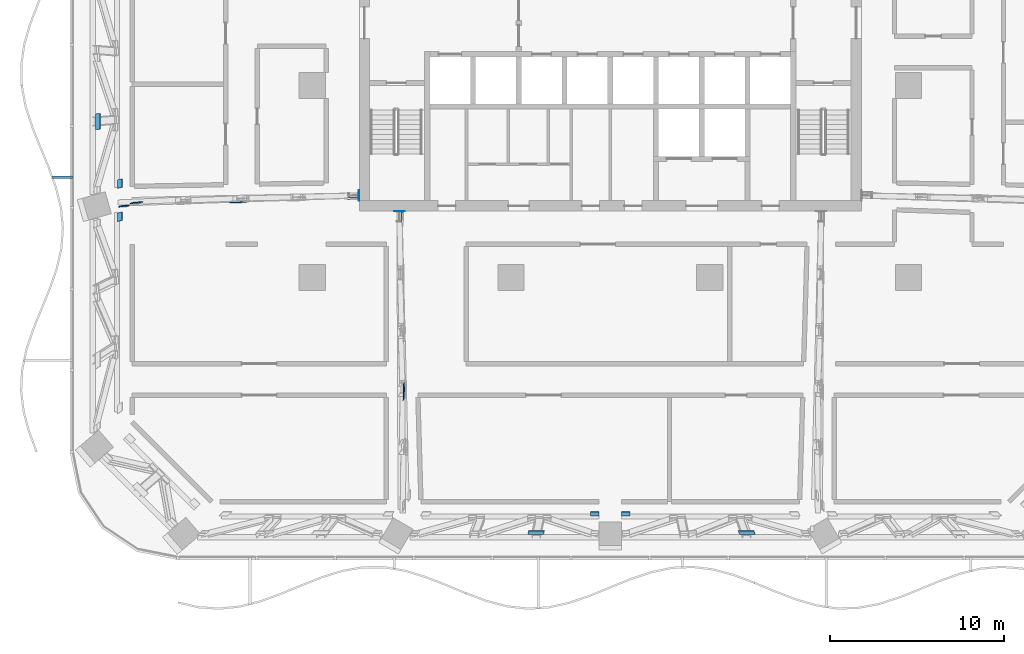
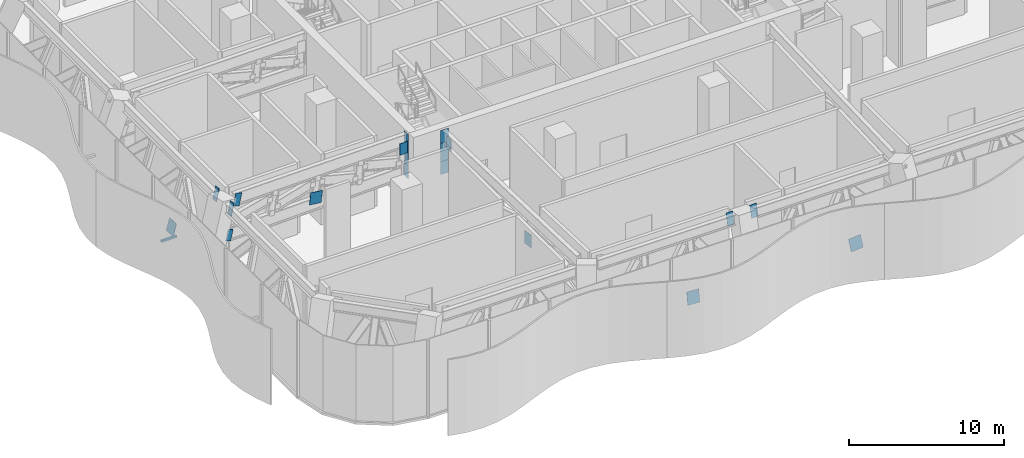
# One storey, part 15 of 32: 20 discrete accessories.
"""IFC4 building model written with IfcOpenShell, lengths in metres."""

from ifc_helpers import new_model, si_unit, direction, frame, origin, origin_2d, place, context, subcontext, project, spatial, rectangle, extrude, material, layer, layer_set, type_object, element, save


model = new_model("IFC4")

# Units and contexts
model_context = context("Model", 3, precision=1e-05, world=origin(), true_north=direction((0.0, 1.0)))
body_context = subcontext(model_context, "Body", "Model", "MODEL_VIEW")
ifc_project = project(units=[si_unit("LENGTHUNIT", "METRE"), si_unit("AREAUNIT", "SQUARE_METRE"), si_unit("VOLUMEUNIT", "CUBIC_METRE"), si_unit("PLANEANGLEUNIT", "RADIAN"), si_unit("MASSUNIT", "GRAM", prefix="KILO")], contexts=[model_context])

# Site, building, storey
site_placement = place(None, origin())
site = spatial("IfcSite", under=ifc_project, at=site_placement, CompositionType="ELEMENT")
building_placement = place(site_placement, origin())
building = spatial("IfcBuilding", under=site, at=building_placement, Name="Mopane Tessera Tower", CompositionType="ELEMENT")
storey_placement = place(building_placement, frame((0.0, 0.0, 88.60009765625)))
storey = spatial("IfcBuildingStorey", under=building, at=storey_placement, Name="L17", CompositionType="ELEMENT", Elevation=88.60009765625)

# Discrete accessories
ifc_material_1 = material(Name="Structural steel S460", Category="steel")
ifc_layer_1 = layer(ifc_material_1, 0.014892578125)
ifc_layer_set_1 = layer_set([ifc_layer_1], Name="Structural steel S460")
discrete_accessory_type_1 = type_object("IfcDiscreteAccessoryType", Name="Cast-in anchor plate 15 mm", PredefinedType="ANCHORPLATE", material=ifc_layer_set_1)
discrete_accessory_1_placement = place(storey_placement, frame((-14.407470703125, -6.300537109375, 2.099853515625), z_axis=(0.0, 0.0, 1.0), x_axis=(-1.0, 0.0, 0.0)))
element("IfcDiscreteAccessory", 1, at=discrete_accessory_1_placement, inside=storey, type_object=discrete_accessory_type_1, Name="Cast-in anchor plate s ot L17 W2 b", PredefinedType="ANCHORPLATE", context=body_context, shape_type="SweptSolid", body=[
    extrude(rectangle(XDim=0.014892578125, YDim=0.60205078125, at=origin_2d()), origin(), (0.0, 0.0, 1.0), 1.008056640625),
])
discrete_accessory_2_placement = place(storey_placement, frame((-14.407470703125, -6.30029296875, 4.5419921875), z_axis=(0.0, 0.0, 1.0), x_axis=(-1.0, 0.0, 0.0)))
element("IfcDiscreteAccessory", 2, at=discrete_accessory_2_placement, inside=storey, type_object=discrete_accessory_type_1, Name="Cast-in anchor plate s ot L17 W2 t", PredefinedType="ANCHORPLATE", context=body_context, shape_type="SweptSolid", body=[
    extrude(rectangle(XDim=0.014892578125, YDim=0.60205078125, at=origin_2d()), origin(), (0.0, 0.0, 1.0), 1.0078125),
])
discrete_accessory_3_placement = place(storey_placement, frame((-14.407470703125, -6.300537109375, 3.10791015625), z_axis=(0.0, 0.0, 1.0), x_axis=(-1.0, 0.0, 0.0)))
element("IfcDiscreteAccessory", 3, at=discrete_accessory_3_placement, inside=storey, type_object=discrete_accessory_type_1, Name="Cast-in anchor plate s ot L17 W2 p", PredefinedType="ANCHORPLATE", context=body_context, shape_type="SweptSolid", body=[
    extrude(rectangle(XDim=0.014892578125, YDim=0.60205078125, at=origin_2d()), origin(), (0.0, 0.0, 1.0), 1.43408203125),
])
discrete_accessory_4_placement = place(storey_placement, frame((-12.093505859375, -7.20751953125, 2.099853515625), z_axis=(0.0, 0.0, 1.0), x_axis=(0.0, -1.0, 0.0)))
element("IfcDiscreteAccessory", 4, at=discrete_accessory_4_placement, inside=storey, type_object=discrete_accessory_type_1, Name="Cast-in anchor plate s ot L17 S1 b", PredefinedType="ANCHORPLATE", context=body_context, shape_type="SweptSolid", body=[
    extrude(rectangle(XDim=0.014892578125, YDim=0.60205078125, at=origin_2d()), origin(), (0.0, 0.0, 1.0), 1.008056640625),
])
discrete_accessory_5_placement = place(storey_placement, frame((-12.09326171875, -7.20751953125, 4.5419921875), z_axis=(0.0, 0.0, 1.0), x_axis=(0.0, -1.0, 0.0)))
element("IfcDiscreteAccessory", 5, at=discrete_accessory_5_placement, inside=storey, type_object=discrete_accessory_type_1, Name="Cast-in anchor plate s ot L17 S1 t", PredefinedType="ANCHORPLATE", context=body_context, shape_type="SweptSolid", body=[
    extrude(rectangle(XDim=0.014892578125, YDim=0.60205078125, at=origin_2d()), origin(), (0.0, 0.0, 1.0), 1.0078125),
])
discrete_accessory_6_placement = place(storey_placement, frame((-12.093505859375, -7.20751953125, 3.10791015625), z_axis=(0.0, 0.0, 1.0), x_axis=(0.0, -1.0, 0.0)))
element("IfcDiscreteAccessory", 6, at=discrete_accessory_6_placement, inside=storey, type_object=discrete_accessory_type_1, Name="Cast-in anchor plate s ot L17 S1 p", PredefinedType="ANCHORPLATE", context=body_context, shape_type="SweptSolid", body=[
    extrude(rectangle(XDim=0.014892578125, YDim=0.60205078125, at=origin_2d()), origin(), (0.0, 0.0, 1.0), 1.43408203125),
])
ifc_material_2 = material(Name="Stainless steel S316", Category="steel")
discrete_accessory_type_2 = type_object("IfcDiscreteAccessoryType", Name="Louvre bracket 150 x 150", PredefinedType="BRACKET", material=ifc_material_2)
discrete_accessory_7_placement = place(storey_placement, frame((-31.429931640625, -5.25, 2.489990234375), z_axis=(0.0, 0.0, 1.0), x_axis=(-1.0, 0.0, 0.0)))
element("IfcDiscreteAccessory", 7, at=discrete_accessory_7_placement, inside=storey, type_object=discrete_accessory_type_2, Name="e:lv:L17:W:1:br0", PredefinedType="BRACKET", context=body_context, shape_type="SweptSolid", body=[
    extrude(rectangle(XDim=1.139892578125, YDim=0.14990234375, at=origin_2d()), origin(), (0.0, 0.0, 1.0), 0.14990234375),
])
ifc_material_3 = material(Name="Structural steel S460", Category="steel")
ifc_layer_2 = layer(ifc_material_3, 0.030029296875)
ifc_layer_set_2 = layer_set([ifc_layer_2], Name="Structural steel S460")
discrete_accessory_type_3 = type_object("IfcDiscreteAccessoryType", Name="Truss node plate 30 mm", PredefinedType="BRACKET", material=ifc_layer_set_2)
discrete_accessory_8_placement = place(storey_placement, frame((-14.705322265625, -6.473876953125, 4.091796875), z_axis=(0.006238001369, 0.001898522156, 0.99997874125), x_axis=(0.05010891909, -0.998742503588, 0.00158358893)))
element("IfcDiscreteAccessory", 8, at=discrete_accessory_8_placement, inside=storey, type_object=discrete_accessory_type_3, Name="Truss node plate s ot L17 W2 1", PredefinedType="BRACKET", context=body_context, shape_type="SweptSolid", body=[
    extrude(rectangle(XDim=0.030029296875, YDim=0.590087890625, at=origin_2d()), origin(), (0.0, 0.0, 1.0), 0.900146484375),
])
discrete_accessory_9_placement = place(storey_placement, frame((-21.3955078125, -6.695068359375, 2.657958984375), z_axis=(0.138265970211, 0.039466208973, 0.989608478051), x_axis=(0.037564771661, -0.998695700189, 0.034580143929)))
element("IfcDiscreteAccessory", 9, at=discrete_accessory_9_placement, inside=storey, type_object=discrete_accessory_type_3, Name="Truss node plate s ot L17 W2 8", PredefinedType="BRACKET", context=body_context, shape_type="SweptSolid", body=[
    extrude(rectangle(XDim=0.030029296875, YDim=0.89990234375, at=origin_2d()), origin(), (0.0, 0.0, 1.0), 0.909423828125),
])
discrete_accessory_10_placement = place(storey_placement, frame((-27.307861328125, -6.757080078125, 4.595947265625), z_axis=(0.258197972787, 0.073696182516, 0.963277052322), x_axis=(0.049640833468, -0.996781132556, 0.062953645121)))
element("IfcDiscreteAccessory", 10, at=discrete_accessory_10_placement, inside=storey, type_object=discrete_accessory_type_3, Name="Truss node plate s ot L17 W2 15", PredefinedType="BRACKET", context=body_context, shape_type="SweptSolid", body=[
    extrude(rectangle(XDim=0.030029296875, YDim=0.489990234375, at=origin_2d()), origin(), (0.0, 0.0, 1.0), 0.934326171875),
])
discrete_accessory_11_placement = place(storey_placement, frame((-27.997802734375, -6.94189453125, 2.204833984375), z_axis=(0.258680468846, 0.073950794625, 0.963128078197), x_axis=(0.050148903174, -0.996748782539, 0.063063079667)))
element("IfcDiscreteAccessory", 11, at=discrete_accessory_11_placement, inside=storey, type_object=discrete_accessory_type_3, Name="Truss node plate s ot L17 W2 16", PredefinedType="BRACKET", context=body_context, shape_type="SweptSolid", body=[
    extrude(rectangle(XDim=0.030029296875, YDim=0.3916015625, at=origin_2d()), origin(), (0.0, 0.0, 1.0), 0.82861328125),
])
discrete_accessory_12_placement = place(storey_placement, frame((-11.922607421875, -7.508544921875, 4.091796875), z_axis=(0.002440978694, 0.004339517678, 0.999987605028), x_axis=(0.99980230165, 0.019722483773, -0.002526113495)))
element("IfcDiscreteAccessory", 12, at=discrete_accessory_12_placement, inside=storey, type_object=discrete_accessory_type_3, Name="Truss node plate s ot L17 S1 1", PredefinedType="BRACKET", context=body_context, shape_type="SweptSolid", body=[
    extrude(rectangle(XDim=0.030029296875, YDim=0.590087890625, at=origin_2d()), origin(), (0.0, 0.0, 1.0), 0.900146484375),
])
discrete_accessory_13_placement = place(storey_placement, frame((-11.881103515625, -17.593017578125, 2.657958984375), z_axis=(0.082433589641, 0.141314725099, 0.986526660445), x_axis=(0.996588507249, -0.007709395506, -0.082170021542)))
element("IfcDiscreteAccessory", 13, at=discrete_accessory_13_placement, inside=storey, type_object=discrete_accessory_type_3, Name="Truss node plate s ot L17 S1 12", PredefinedType="BRACKET", context=body_context, shape_type="SweptSolid", body=[
    extrude(rectangle(XDim=0.030029296875, YDim=0.89990234375, at=origin_2d()), origin(), (0.0, 0.0, 1.0), 0.912109375),
])
discrete_accessory_14_placement = place(storey_placement, frame((-4.277587890625, -25.742431640625, 0.364013671875), z_axis=(0.048897559929, 0.242121788681, 0.969012934939), x_axis=(-0.012353403072, 0.970245854347, -0.24180648369)))
element("IfcDiscreteAccessory", 14, at=discrete_accessory_14_placement, inside=storey, type_object=discrete_accessory_type_3, Name="Truss node plate s bt L17 S1-S2 8", PredefinedType="BRACKET", context=body_context, shape_type="SweptSolid", body=[
    extrude(rectangle(XDim=0.030029296875, YDim=0.89990234375, at=origin_2d()), origin(), (0.0, 0.0, 1.0), 0.9287109375),
])
for number, where, z_axis, x_axis, name in (
    (15, (-0.890380859375, -24.66015625, 4.69287109375), (0.010524927378, 0.242336452874, 0.970135181051), (-0.003565364544, 0.970191846033, -0.242311927208), "Truss node plate s bt L17 S1-S2 11"),
    (16, (0.890380859375, -24.66015625, 4.69287109375), (-0.010524927378, 0.242336452874, 0.970135181051), (0.003565364544, 0.970191846033, -0.242311927208), "Truss node plate s bt L17 S2-S3 2"),
):
    element("IfcDiscreteAccessory", number, at=place(storey_placement, frame(where, z_axis=z_axis, x_axis=x_axis)), inside=storey, type_object=discrete_accessory_type_3, Name=name, PredefinedType="BRACKET", context=body_context, shape_type="SweptSolid", body=[
        extrude(rectangle(XDim=0.030029296875, YDim=0.489990234375, at=origin_2d()), origin(), (0.0, 0.0, 1.0), 0.927978515625),
    ])
discrete_accessory_15_placement = place(storey_placement, frame((7.866943359375, -25.742431640625, 0.364013671875), z_axis=(-0.08991362867, 0.241429889229, 0.966243834633), x_axis=(0.021710070728, 0.970418051904, -0.240452650989)))
element("IfcDiscreteAccessory", 17, at=discrete_accessory_15_placement, inside=storey, type_object=discrete_accessory_type_3, Name="Truss node plate s bt L17 S2-S3 8", PredefinedType="BRACKET", context=body_context, shape_type="SweptSolid", body=[
    extrude(rectangle(XDim=0.030029296875, YDim=0.89990234375, at=origin_2d()), origin(), (0.0, 0.0, 1.0), 0.931396484375),
])
discrete_accessory_16_placement = place(storey_placement, frame((-29.52734375, -2.069091796875, 0.364013671875), z_axis=(0.279901395581, 0.023693978603, 0.959736320105), x_axis=(0.960028739214, -0.007084313649, -0.27981178028)))
element("IfcDiscreteAccessory", 18, at=discrete_accessory_16_placement, inside=storey, type_object=discrete_accessory_type_3, Name="Truss node plate s bt L17 W1-W2 8", PredefinedType="BRACKET", context=body_context, shape_type="SweptSolid", body=[
    extrude(rectangle(XDim=0.030029296875, YDim=0.89990234375, at=origin_2d()), origin(), (0.0, 0.0, 1.0), 0.937744140625),
])
discrete_accessory_17_placement = place(storey_placement, frame((-28.2646484375, -5.64892578125, 4.69287109375), z_axis=(0.27925598399, 0.0683203012, 0.957783081835), x_axis=(0.960216603868, -0.019442196798, -0.278578668674)))
element("IfcDiscreteAccessory", 19, at=discrete_accessory_17_placement, inside=storey, type_object=discrete_accessory_type_3, Name="Truss node plate s bt L17 W1-W2 11", PredefinedType="BRACKET", context=body_context, shape_type="SweptSolid", body=[
    extrude(rectangle(XDim=0.030029296875, YDim=0.489990234375, at=origin_2d()), origin(), (0.0, 0.0, 1.0), 0.93994140625),
])
discrete_accessory_18_placement = place(storey_placement, frame((-28.2646484375, -7.569091796875, 4.69287109375), z_axis=(0.278741674424, 0.091271692462, 0.956019119628), x_axis=(0.960366097739, -0.026291107482, -0.277499073837)))
element("IfcDiscreteAccessory", 20, at=discrete_accessory_18_placement, inside=storey, type_object=discrete_accessory_type_3, Name="Truss node plate s bt L17 W2-W3 2", PredefinedType="BRACKET", context=body_context, shape_type="SweptSolid", body=[
    extrude(rectangle(XDim=0.030029296875, YDim=0.489990234375, at=origin_2d()), origin(), (0.0, 0.0, 1.0), 0.941650390625),
])

save(model, "model.ifc")
